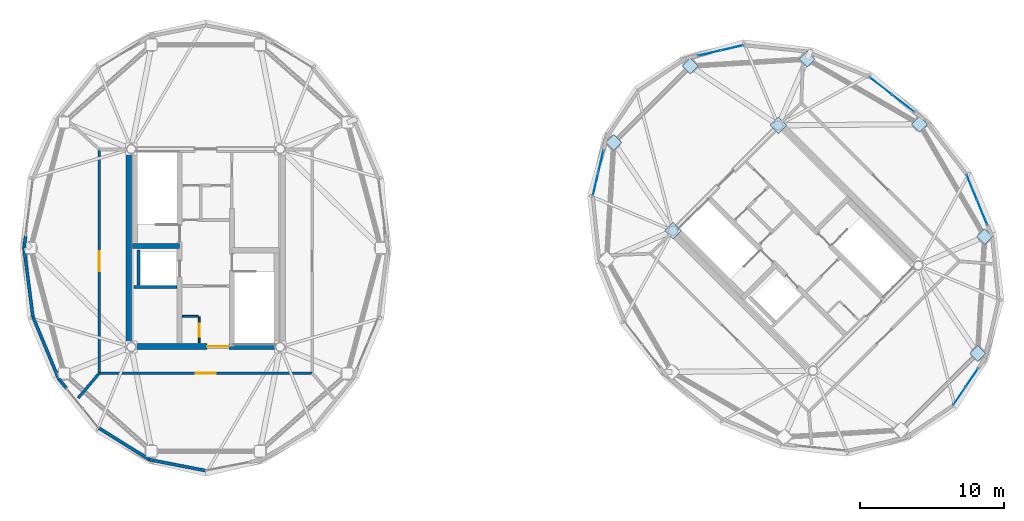
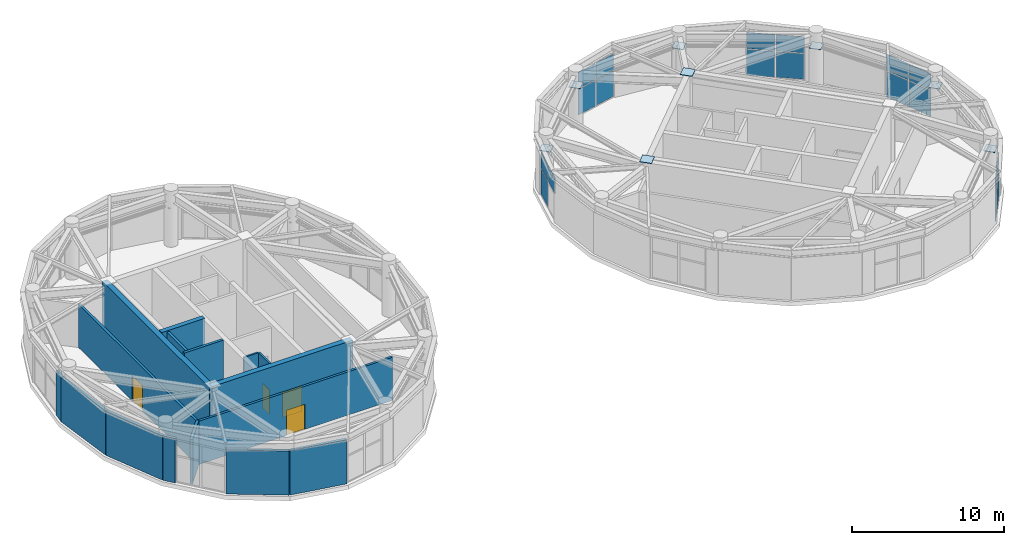
# One storey, part 22 of 26: 27 plates, 16 walls, 4 doors, 4 openings, 5 elements without a shape of their own.
"""IFC4 building model written with IfcOpenShell, lengths in metres."""

from ifc_helpers import new_model, si_unit, direction, frame, frame_2d, origin, origin_2d, place, context, subcontext, project, spatial, rectangle, extrude, source, transform, mapped, material, layer, layer_set, type_object, element, fill, aggregate, save


model = new_model("IFC4")

# Units and contexts
model_context = context("Model", 3, precision=1e-05, world=origin(), true_north=direction((0.0, 1.0)))
body_context = subcontext(model_context, "Body", "Model", "MODEL_VIEW")
ifc_project = project(units=[si_unit("LENGTHUNIT", "METRE"), si_unit("AREAUNIT", "SQUARE_METRE"), si_unit("VOLUMEUNIT", "CUBIC_METRE"), si_unit("PLANEANGLEUNIT", "RADIAN"), si_unit("MASSUNIT", "GRAM", prefix="KILO")], contexts=[model_context])

# Site, building, storey
site_placement = place(None, origin())
site = spatial("IfcSite", under=ifc_project, at=site_placement, CompositionType="ELEMENT")
building_placement = place(site_placement, origin())
building = spatial("IfcBuilding", under=site, at=building_placement, Name="Cununo Teusaquillo Station Towers", CompositionType="ELEMENT")
storey_placement = place(building_placement, frame((0.0, 0.0, 240.330078125)))
storey = spatial("IfcBuildingStorey", under=building, at=storey_placement, Name="L76", CompositionType="ELEMENT", Elevation=240.330078125)

# Plates
ifc_material_1 = material(Name="Steel ASTM A572 Grade 50", Category="steel")
ifc_layer_1 = layer(ifc_material_1, 0.0400390625)
ifc_layer_set_1 = layer_set([ifc_layer_1], Name="Steel ASTM A572 Grade 50")
plate_type_1 = type_object("IfcPlateType", Name="PLT-NODE-CRN1", PredefinedType="USERDEFINED", material=ifc_layer_set_1)
shared_shape_1 = source(origin(), body_context, "Body", "SweptSolid", [
    extrude(rectangle(XDim=0.820068359375, YDim=0.820068359375, at=origin_2d()), origin(), (0.0, 0.0, 1.0), 0.0400390625),
])
for number, where, z_axis, x_axis, name in (
    (1, (48.975830078125, 25.70556640625, 4.5), (0.0, 0.0, 1.0), (0.707106781187, 0.707106781187, 0.0), "L76 Tower B Core Column Sealed Cap Plate 2"),
    (2, (56.29443359375, 33.024169921875, 4.5), (0.0, 0.0, 1.0), (0.707106781187, 0.707106781187, 0.0), "L76 Tower B Core Column Sealed Cap Plate 4"),
):
    element("IfcPlate", number, at=place(storey_placement, frame(where, z_axis=z_axis, x_axis=x_axis)), inside=storey, type_object=plate_type_1, Name=name, ObjectType="GUSSET PLATE", PredefinedType="USERDEFINED", context=body_context, shape_type="MappedRepresentation", body=[
        mapped(shared_shape_1, transform((0.0, 0.0, 0.0), x_axis=(1.0, 0.0, 0.0), y_axis=(0.0, 1.0, 0.0), z_axis=(0.0, 0.0, 1.0), scale=1.0)),
    ])
shared_shape_2 = source(origin(), body_context, "Body", "SweptSolid", [
    extrude(rectangle(XDim=0.780029296875, YDim=0.780029296875, at=origin_2d()), origin(), (0.0, 0.0, 1.0), 0.0400390625),
])
for number, where, z_axis, x_axis, name in (
    (3, (66.10693359375, 33.10693359375, 3.1298828125), (0.0, 0.0, 1.0), (0.707106781187, 0.707106781187, 0.0), "L76 Tower B Crown Drum Node CRN1 01"),
    (4, (58.291015625, 37.63525390625, 3.1298828125), (0.0, 0.0, 1.0), (0.707106781187, 0.707106781187, 0.0), "L76 Tower B Crown Drum Node CRN1 02"),
    (5, (50.173095703125, 37.146240234375, 3.1298828125), (0.0, 0.0, 1.0), (0.707106781187, 0.707106781187, 0.0), "L76 Tower B Crown Drum Node CRN1 03"),
    (6, (44.853759765625, 31.826904296875, 3.1298828125), (0.0, 0.0, 1.0), (0.707106781187, 0.707106781187, 0.0), "L76 Tower B Crown Drum Node CRN1 04"),
    (7, (70.146240234375, 17.173095703125, 3.1298828125), (0.0, 0.0, 1.0), (0.707106781187, 0.707106781187, 0.0), "L76 Tower B Crown Drum Node CRN1 09"),
    (8, (70.63525390625, 25.291015625, 3.1298828125), (0.0, 0.0, 1.0), (0.707106781187, 0.707106781187, 0.0), "L76 Tower B Crown Drum Node CRN1 10"),
):
    element("IfcPlate", number, at=place(storey_placement, frame(where, z_axis=z_axis, x_axis=x_axis)), inside=storey, type_object=plate_type_1, Name=name, ObjectType="GUSSET PLATE", PredefinedType="USERDEFINED", context=body_context, shape_type="MappedRepresentation", body=[
        mapped(shared_shape_2, transform((0.0, 0.0, 0.0), x_axis=(1.0, 0.0, 0.0), y_axis=(0.0, 1.0, 0.0), z_axis=(0.0, 0.0, 1.0), scale=1.0)),
    ])

# Curtain wall, plates
ifc_material_2 = material(Name="Ceramic-fritted dark low-E double glazing", Category="glass")
ifc_layer_2 = layer(ifc_material_2, 0.179931640625)
ifc_layer_set_2 = layer_set([ifc_layer_2], Name="Ceramic-fritted dark low-E double glazing")
curtain_wall_type = type_object("IfcCurtainWallType", Name="CW-SYS-08", PredefinedType="USERDEFINED", material=ifc_layer_set_2)
curtain_wall_1_placement = place(storey_placement, origin())
curtain_wall_1 = element("IfcCurtainWall", 9, at=curtain_wall_1_placement, inside=storey, type_object=curtain_wall_type, Name="L76 Tower B Crown Drum Glazed Screen C00", ObjectType="FRITTED GLAZING", PredefinedType="USERDEFINED")
ifc_material_3 = material(Name="Ceramic-fritted dark low-E double glazing", Category="glass")
ifc_layer_3 = layer(ifc_material_3, 0.030029296875)
ifc_layer_set_3 = layer_set([ifc_layer_3], Name="Ceramic-fritted dark low-E double glazing")
plate_type_2 = type_object("IfcPlateType", Name="CWP-DRUM-30", PredefinedType="CURTAIN_PANEL", material=ifc_layer_set_3)
shared_shape_3 = source(origin(), body_context, "Body", "SweptSolid", [
    extrude(rectangle(XDim=1.8876953125, YDim=0.030029296875, at=origin_2d()), origin(), (0.0, 0.0, 1.0), 2.052490234375),
])
plate_1_placement = place(storey_placement, frame((63.412353515625, 35.758056640625, 0.06494140625), z_axis=(0.0, 0.0, 1.0), x_axis=(0.791965285757, -0.610566119397, 0.0)))
plate_1 = element("IfcPlate", 10, at=plate_1_placement, type_object=plate_type_2, Name="CW-08 panel 1.1", PredefinedType="CURTAIN_PANEL", context=body_context, shape_type="MappedRepresentation", body=[
    mapped(shared_shape_3, transform((0.0, 0.0, 0.0), x_axis=(1.0, 0.0, 0.0), y_axis=(0.0, 1.0, 0.0), z_axis=(0.0, 0.0, 1.0), scale=1.0)),
])
plate_2_placement = place(storey_placement, frame((64.958740234375, 34.565673828125, 0.06494140625), z_axis=(0.0, 0.0, 1.0), x_axis=(0.791965285757, -0.610566119397, 0.0)))
plate_2 = element("IfcPlate", 11, at=plate_2_placement, type_object=plate_type_2, Name="CW-08 panel 2.1", PredefinedType="CURTAIN_PANEL", context=body_context, shape_type="MappedRepresentation", body=[
    mapped(shared_shape_3, transform((0.0, 0.0, 0.0), x_axis=(1.0, 0.0, 0.0), y_axis=(0.0, 1.0, 0.0), z_axis=(0.0, 0.0, 1.0), scale=1.0)),
])

curtain_wall_2_placement = place(storey_placement, origin())
curtain_wall_2 = element("IfcCurtainWall", 12, at=curtain_wall_2_placement, inside=storey, type_object=curtain_wall_type, Name="L76 Tower B Crown Drum Glazed Screen C15", ObjectType="FRITTED GLAZING", PredefinedType="USERDEFINED")
shared_shape_4 = source(origin(), body_context, "Body", "SweptSolid", [
    extrude(rectangle(XDim=1.46533203125, YDim=0.030029296875, at=origin_2d()), origin(), (0.0, 0.0, 1.0), 2.052490234375),
])
plate_3_placement = place(storey_placement, frame((69.741455078125, 15.490478515625, 0.06494140625), z_axis=(0.0, 0.0, 1.0), x_axis=(-0.559504724592, -0.82882716121, 0.0)))
plate_3 = element("IfcPlate", 13, at=plate_3_placement, type_object=plate_type_2, Name="CW-08 panel 1.1", PredefinedType="CURTAIN_PANEL", context=body_context, shape_type="MappedRepresentation", body=[
    mapped(shared_shape_4, transform((0.0, 0.0, 0.0), x_axis=(1.0, 0.0, 0.0), y_axis=(0.0, 1.0, 0.0), z_axis=(0.0, 0.0, 1.0), scale=1.0)),
])
plate_4_placement = place(storey_placement, frame((68.88525390625, 14.22216796875, 0.06494140625), z_axis=(0.0, 0.0, 1.0), x_axis=(-0.559504724592, -0.82882716121, 0.0)))
plate_4 = element("IfcPlate", 14, at=plate_4_placement, type_object=plate_type_2, Name="CW-08 panel 2.1", PredefinedType="CURTAIN_PANEL", context=body_context, shape_type="MappedRepresentation", body=[
    mapped(shared_shape_4, transform((0.0, 0.0, 0.0), x_axis=(1.0, 0.0, 0.0), y_axis=(0.0, 1.0, 0.0), z_axis=(0.0, 0.0, 1.0), scale=1.0)),
])

curtain_wall_3_placement = place(storey_placement, origin())
curtain_wall_3 = element("IfcCurtainWall", 15, at=curtain_wall_3_placement, inside=storey, type_object=curtain_wall_type, Name="L76 Tower B Crown Drum Glazed Screen C03", ObjectType="FRITTED GLAZING", PredefinedType="USERDEFINED")
shared_shape_5 = source(origin(), body_context, "Body", "SweptSolid", [
    extrude(rectangle(XDim=1.552734375, YDim=0.030029296875, at=origin_2d()), origin(), (0.0, 0.0, 1.0), 2.052490234375),
])
plate_5_placement = place(storey_placement, frame((51.50390625, 38.044677734375, 0.06494140625), z_axis=(0.0, 0.0, 1.0), x_axis=(0.974251080132, 0.225465813065, 0.0)))
plate_5 = element("IfcPlate", 16, at=plate_5_placement, type_object=plate_type_2, Name="CW-08 panel 1.1", PredefinedType="CURTAIN_PANEL", context=body_context, shape_type="MappedRepresentation", body=[
    mapped(shared_shape_5, transform((0.0, 0.0, 0.0), x_axis=(1.0, 0.0, 0.0), y_axis=(0.0, 1.0, 0.0), z_axis=(0.0, 0.0, 1.0), scale=1.0)),
])
plate_6_placement = place(storey_placement, frame((53.079833984375, 38.409423828125, 0.06494140625), z_axis=(0.0, 0.0, 1.0), x_axis=(0.974251080132, 0.225465813065, 0.0)))
plate_6 = element("IfcPlate", 17, at=plate_6_placement, type_object=plate_type_2, Name="CW-08 panel 2.1", PredefinedType="CURTAIN_PANEL", context=body_context, shape_type="MappedRepresentation", body=[
    mapped(shared_shape_5, transform((0.0, 0.0, 0.0), x_axis=(1.0, 0.0, 0.0), y_axis=(0.0, 1.0, 0.0), z_axis=(0.0, 0.0, 1.0), scale=1.0)),
])

# Curtain wall, plate
curtain_wall_4_placement = place(storey_placement, origin())
curtain_wall_4 = element("IfcCurtainWall", 18, at=curtain_wall_4_placement, inside=storey, type_object=curtain_wall_type, Name="L76 Tower B Crown Drum Glazed Screen C06", ObjectType="FRITTED GLAZING", PredefinedType="USERDEFINED")
plate_7_placement = place(storey_placement, frame((43.955322265625, 30.49609375, 0.06494140625), z_axis=(0.0, 0.0, 1.0), x_axis=(0.225465813065, 0.974251080132, 0.0)))
plate_7 = element("IfcPlate", 19, at=plate_7_placement, type_object=plate_type_2, Name="CW-08 panel 2.1", PredefinedType="CURTAIN_PANEL", context=body_context, shape_type="MappedRepresentation", body=[
    mapped(shared_shape_5, transform((0.0, 0.0, 0.0), x_axis=(1.0, 0.0, 0.0), y_axis=(0.0, 1.0, 0.0), z_axis=(0.0, 0.0, 1.0), scale=1.0)),
])

# Curtain wall, plates
curtain_wall_5_placement = place(storey_placement, origin())
curtain_wall_5 = element("IfcCurtainWall", 20, at=curtain_wall_5_placement, inside=storey, type_object=curtain_wall_type, Name="L76 Tower B Crown Drum Glazed Screen C18", ObjectType="FRITTED GLAZING", PredefinedType="USERDEFINED")
shared_shape_6 = source(origin(), body_context, "Body", "SweptSolid", [
    extrude(rectangle(XDim=1.81298828125, YDim=0.030029296875, at=origin_2d()), origin(), (0.0, 0.0, 1.0), 2.052490234375),
])
plate_8_placement = place(storey_placement, frame((69.744384765625, 28.71533203125, 0.06494140625), z_axis=(0.0, 0.0, 1.0), x_axis=(0.381310513086, -0.924447019904, 0.0)))
plate_8 = element("IfcPlate", 21, at=plate_8_placement, type_object=plate_type_2, Name="CW-08 panel 1.1", PredefinedType="CURTAIN_PANEL", context=body_context, shape_type="MappedRepresentation", body=[
    mapped(shared_shape_6, transform((0.0, 0.0, 0.0), x_axis=(1.0, 0.0, 0.0), y_axis=(0.0, 1.0, 0.0), z_axis=(0.0, 0.0, 1.0), scale=1.0)),
])
plate_9_placement = place(storey_placement, frame((70.46044921875, 26.979248046875, 0.06494140625), z_axis=(0.0, 0.0, 1.0), x_axis=(0.381310513086, -0.924447019904, 0.0)))
plate_9 = element("IfcPlate", 22, at=plate_9_placement, type_object=plate_type_2, Name="CW-08 panel 2.1", PredefinedType="CURTAIN_PANEL", context=body_context, shape_type="MappedRepresentation", body=[
    mapped(shared_shape_6, transform((0.0, 0.0, 0.0), x_axis=(1.0, 0.0, 0.0), y_axis=(0.0, 1.0, 0.0), z_axis=(0.0, 0.0, 1.0), scale=1.0)),
])

# Plate
shared_shape_7 = source(origin(), body_context, "Body", "SweptSolid", [
    extrude(rectangle(XDim=1.8876953125, YDim=0.030029296875, at=origin_2d()), origin(), (0.0, 0.0, 1.0), 1.30859375),
])
plate_10_placement = place(storey_placement, frame((63.412353515625, 35.758056640625, 2.182373046875), z_axis=(0.0, 0.0, 1.0), x_axis=(0.791965285757, -0.610566119397, 0.0)))
plate_10 = element("IfcPlate", 23, at=plate_10_placement, type_object=plate_type_2, Name="CW-08 panel 1.2", PredefinedType="CURTAIN_PANEL", context=body_context, shape_type="MappedRepresentation", body=[
    mapped(shared_shape_7, transform((0.0, 0.0, 0.0), x_axis=(1.0, 0.0, 0.0), y_axis=(0.0, 1.0, 0.0), z_axis=(0.0, 0.0, 1.0), scale=1.0)),
])

plate_11_placement = place(storey_placement, frame((64.958740234375, 34.565673828125, 2.182373046875), z_axis=(0.0, 0.0, 1.0), x_axis=(0.791965285757, -0.610566119397, 0.0)))
plate_11 = element("IfcPlate", 24, at=plate_11_placement, type_object=plate_type_2, Name="CW-08 panel 2.2", PredefinedType="CURTAIN_PANEL", context=body_context, shape_type="MappedRepresentation", body=[
    mapped(shared_shape_7, transform((0.0, 0.0, 0.0), x_axis=(1.0, 0.0, 0.0), y_axis=(0.0, 1.0, 0.0), z_axis=(0.0, 0.0, 1.0), scale=1.0)),
])

aggregate(curtain_wall_1, [plate_1, plate_10, plate_2, plate_11])

shared_shape_8 = source(origin(), body_context, "Body", "SweptSolid", [
    extrude(rectangle(XDim=1.46533203125, YDim=0.030029296875, at=origin_2d()), origin(), (0.0, 0.0, 1.0), 1.30859375),
])
plate_12_placement = place(storey_placement, frame((69.741455078125, 15.490478515625, 2.182373046875), z_axis=(0.0, 0.0, 1.0), x_axis=(-0.559504724592, -0.82882716121, 0.0)))
plate_12 = element("IfcPlate", 25, at=plate_12_placement, type_object=plate_type_2, Name="CW-08 panel 1.2", PredefinedType="CURTAIN_PANEL", context=body_context, shape_type="MappedRepresentation", body=[
    mapped(shared_shape_8, transform((0.0, 0.0, 0.0), x_axis=(1.0, 0.0, 0.0), y_axis=(0.0, 1.0, 0.0), z_axis=(0.0, 0.0, 1.0), scale=1.0)),
])

plate_13_placement = place(storey_placement, frame((68.88525390625, 14.22216796875, 2.182373046875), z_axis=(0.0, 0.0, 1.0), x_axis=(-0.559504724592, -0.82882716121, 0.0)))
plate_13 = element("IfcPlate", 26, at=plate_13_placement, type_object=plate_type_2, Name="CW-08 panel 2.2", PredefinedType="CURTAIN_PANEL", context=body_context, shape_type="MappedRepresentation", body=[
    mapped(shared_shape_8, transform((0.0, 0.0, 0.0), x_axis=(1.0, 0.0, 0.0), y_axis=(0.0, 1.0, 0.0), z_axis=(0.0, 0.0, 1.0), scale=1.0)),
])

aggregate(curtain_wall_2, [plate_3, plate_12, plate_4, plate_13])

shared_shape_9 = source(origin(), body_context, "Body", "SweptSolid", [
    extrude(rectangle(XDim=1.552734375, YDim=0.030029296875, at=origin_2d()), origin(), (0.0, 0.0, 1.0), 1.30859375),
])
plate_14_placement = place(storey_placement, frame((51.50390625, 38.044677734375, 2.182373046875), z_axis=(0.0, 0.0, 1.0), x_axis=(0.974251080132, 0.225465813065, 0.0)))
plate_14 = element("IfcPlate", 27, at=plate_14_placement, type_object=plate_type_2, Name="CW-08 panel 1.2", PredefinedType="CURTAIN_PANEL", context=body_context, shape_type="MappedRepresentation", body=[
    mapped(shared_shape_9, transform((0.0, 0.0, 0.0), x_axis=(1.0, 0.0, 0.0), y_axis=(0.0, 1.0, 0.0), z_axis=(0.0, 0.0, 1.0), scale=1.0)),
])

plate_15_placement = place(storey_placement, frame((53.079833984375, 38.409423828125, 2.182373046875), z_axis=(0.0, 0.0, 1.0), x_axis=(0.974251080132, 0.225465813065, 0.0)))
plate_15 = element("IfcPlate", 28, at=plate_15_placement, type_object=plate_type_2, Name="CW-08 panel 2.2", PredefinedType="CURTAIN_PANEL", context=body_context, shape_type="MappedRepresentation", body=[
    mapped(shared_shape_9, transform((0.0, 0.0, 0.0), x_axis=(1.0, 0.0, 0.0), y_axis=(0.0, 1.0, 0.0), z_axis=(0.0, 0.0, 1.0), scale=1.0)),
])

aggregate(curtain_wall_3, [plate_5, plate_14, plate_6, plate_15])

plate_16_placement = place(storey_placement, frame((43.590576171875, 28.920166015625, 2.182373046875), z_axis=(0.0, 0.0, 1.0), x_axis=(0.225465813065, 0.974251080132, 0.0)))
plate_16 = element("IfcPlate", 29, at=plate_16_placement, type_object=plate_type_2, Name="CW-08 panel 1.2", PredefinedType="CURTAIN_PANEL", context=body_context, shape_type="MappedRepresentation", body=[
    mapped(shared_shape_9, transform((0.0, 0.0, 0.0), x_axis=(1.0, 0.0, 0.0), y_axis=(0.0, 1.0, 0.0), z_axis=(0.0, 0.0, 1.0), scale=1.0)),
])

plate_17_placement = place(storey_placement, frame((43.955322265625, 30.49609375, 2.182373046875), z_axis=(0.0, 0.0, 1.0), x_axis=(0.225465813065, 0.974251080132, 0.0)))
plate_17 = element("IfcPlate", 30, at=plate_17_placement, type_object=plate_type_2, Name="CW-08 panel 2.2", PredefinedType="CURTAIN_PANEL", context=body_context, shape_type="MappedRepresentation", body=[
    mapped(shared_shape_9, transform((0.0, 0.0, 0.0), x_axis=(1.0, 0.0, 0.0), y_axis=(0.0, 1.0, 0.0), z_axis=(0.0, 0.0, 1.0), scale=1.0)),
])

aggregate(curtain_wall_4, [plate_16, plate_7, plate_17])

shared_shape_10 = source(origin(), body_context, "Body", "SweptSolid", [
    extrude(rectangle(XDim=1.81298828125, YDim=0.030029296875, at=origin_2d()), origin(), (0.0, 0.0, 1.0), 1.30859375),
])
plate_18_placement = place(storey_placement, frame((69.744384765625, 28.71533203125, 2.182373046875), z_axis=(0.0, 0.0, 1.0), x_axis=(0.381310513086, -0.924447019904, 0.0)))
plate_18 = element("IfcPlate", 31, at=plate_18_placement, type_object=plate_type_2, Name="CW-08 panel 1.2", PredefinedType="CURTAIN_PANEL", context=body_context, shape_type="MappedRepresentation", body=[
    mapped(shared_shape_10, transform((0.0, 0.0, 0.0), x_axis=(1.0, 0.0, 0.0), y_axis=(0.0, 1.0, 0.0), z_axis=(0.0, 0.0, 1.0), scale=1.0)),
])

plate_19_placement = place(storey_placement, frame((70.46044921875, 26.979248046875, 2.182373046875), z_axis=(0.0, 0.0, 1.0), x_axis=(0.381310513086, -0.924447019904, 0.0)))
plate_19 = element("IfcPlate", 32, at=plate_19_placement, type_object=plate_type_2, Name="CW-08 panel 2.2", PredefinedType="CURTAIN_PANEL", context=body_context, shape_type="MappedRepresentation", body=[
    mapped(shared_shape_10, transform((0.0, 0.0, 0.0), x_axis=(1.0, 0.0, 0.0), y_axis=(0.0, 1.0, 0.0), z_axis=(0.0, 0.0, 1.0), scale=1.0)),
])

aggregate(curtain_wall_5, [plate_8, plate_18, plate_9, plate_19])

# Walls
ifc_material_4 = material(Name="Concrete C50/60", Category="concrete")
ifc_layer_4 = layer(ifc_material_4, 0.199951171875)
ifc_layer_set_4 = layer_set([ifc_layer_4], Name="Concrete C50/60")
wall_type_1 = type_object("IfcWallType", Name="WL-CORE-200", PredefinedType="SHEAR", material=ifc_layer_set_4)
wall_1_placement = place(storey_placement, frame((11.52001953125, 21.800048828125, 0.0), z_axis=(0.0, 0.0, 1.0), x_axis=(1.0, 0.0, 0.0)))
element("IfcWall", 33, at=wall_1_placement, inside=storey, type_object=wall_type_1, Name="L76 Tower A Firefighting Lift Shaft South Shear Wall", PredefinedType="SHEAR", context=body_context, shape_type="SweptSolid", body=[
    extrude(rectangle(XDim=2.969970703125, YDim=0.199951171875, at=frame_2d((1.48486328125, 0.0))), origin(), (0.0, 0.0, 1.0), 4.5),
])
wall_2_placement = place(storey_placement, frame((11.820068359375, 21.919921875, 0.0), z_axis=(0.0, 0.0, 1.0), x_axis=(0.0, 1.0, 0.0)))
element("IfcWall", 34, at=wall_2_placement, inside=storey, type_object=wall_type_1, Name="L76 Tower A Firefighting Lift Shaft Rear Shear Wall", PredefinedType="SHEAR", context=body_context, shape_type="SweptSolid", body=[
    extrude(rectangle(XDim=2.440185546875, YDim=0.199951171875, at=frame_2d((1.22021484375, 0.0))), origin(), (0.0, 0.0, 1.0), 4.5),
])
ifc_material_5 = material(Name="Concrete C50/60", Category="concrete")
ifc_layer_5 = layer(ifc_material_5, 0.35009765625)
ifc_layer_set_5 = layer_set([ifc_layer_5], Name="Concrete C50/60")
wall_type_2 = type_object("IfcWallType", Name="WL-CORE-350", PredefinedType="SHEAR", material=ifc_layer_set_5)
wall_3_placement = place(storey_placement, frame((11.39990234375, 24.655029296875, 0.0), z_axis=(0.0, 0.0, 1.0), x_axis=(1.0, 0.0, 0.0)))
element("IfcWall", 35, at=wall_3_placement, inside=storey, type_object=wall_type_2, Name="L76 Tower A Core Shear Wall ST1S", PredefinedType="SHEAR", context=body_context, shape_type="SweptSolid", body=[
    extrude(rectangle(XDim=3.28515625, YDim=0.35009765625, at=frame_2d((1.642578125, 0.0))), origin(), (0.0, 0.0, 1.0), 4.5),
])
ifc_material_6 = material(Name="Concrete C50/60", Category="concrete")
ifc_layer_6 = layer(ifc_material_6, 0.39990234375)
ifc_layer_set_6 = layer_set([ifc_layer_6], Name="Concrete C50/60")
wall_type_3 = type_object("IfcWallType", Name="WL-CORE-400", PredefinedType="SHEAR", material=ifc_layer_set_6)
wall_4_placement = place(storey_placement, frame((11.14990234375, 17.449951171875, 0.0), z_axis=(0.0, 0.0, 1.0), x_axis=(0.0, 1.0, 0.0)))
element("IfcWall", 36, at=wall_4_placement, inside=storey, type_object=wall_type_3, Name="L76 Tower A Core Shear Wall W", PredefinedType="SHEAR", context=body_context, shape_type="SweptSolid", body=[
    extrude(rectangle(XDim=14.10009765625, YDim=0.39990234375, at=frame_2d((7.050048828125, 0.0))), origin(), (0.0, 0.0, 1.0), 4.5),
])

# Wall, opening, door
wall_5_placement = place(storey_placement, frame((11.14990234375, 17.64990234375, 0.0), z_axis=(0.0, 0.0, 1.0), x_axis=(1.0, 0.0, 0.0)))
wall_5 = element("IfcWall", 37, at=wall_5_placement, inside=storey, type_object=wall_type_3, Name="L76 Tower A Core Shear Wall S", PredefinedType="SHEAR", context=body_context, shape_type="SweptSolid", body=[
    extrude(rectangle(XDim=10.7001953125, YDim=0.39990234375, at=frame_2d((5.35009765625, 0.0))), origin(), (0.0, 0.0, 1.0), 4.5),
])
shared_shape_11 = source(origin(), body_context, "Body", "SweptSolid", [
    extrude(rectangle(XDim=1.5, YDim=2.02001953125, at=frame_2d((0.75, 1.010009765625))), frame((0.0, 0.2099609375, 0.0), z_axis=(0.0, -1.0, 0.0), x_axis=(1.0, 0.0, 0.0)), (0.0, 0.0, 1.0), 0.419921875),
])
opening_1_placement = place(wall_5_placement, frame((5.449951171875, 0.0, 0.0)))
opening_1 = element("IfcOpeningElement", 38, at=opening_1_placement, cuts=wall_5, Name="Opening D-LB1", PredefinedType="OPENING", context=body_context, shape_type="MappedRepresentation", body=[
    mapped(shared_shape_11, transform((0.0, 0.0, 0.0), x_axis=(1.0, 0.0, 0.0), y_axis=(0.0, 1.0, 0.0), z_axis=(0.0, 0.0, 1.0), scale=1.0)),
])
ifc_material_7 = material(Name="Galvanised fire-rated hollow steel door assembly", Category="steel")
door_type_1 = type_object("IfcDoorType", Name="DR-LOBBY-1500", OperationType="DOUBLE_DOOR_SINGLE_SWING", PredefinedType="DOOR", material=ifc_material_7)
shared_shape_12 = source(origin(), body_context, "Body", "SweptSolid", [
    extrude(rectangle(XDim=1.5, YDim=2.02001953125, at=frame_2d((0.75, 1.010009765625))), frame((0.0, 0.02490234375, 0.0), z_axis=(0.0, -1.0, 0.0), x_axis=(1.0, 0.0, 0.0)), (0.0, 0.0, 1.0), 0.050048828125),
])
door_1_placement = place(opening_1_placement, origin())
door_1 = element("IfcDoor", 39, at=door_1_placement, inside=storey, type_object=door_type_1, Name="L76 Tower A South Core Lift Lobby Door", OperationType="DOUBLE_DOOR_SINGLE_SWING", OverallHeight=2.02001953125, OverallWidth=1.5, PredefinedType="DOOR", context=body_context, shape_type="MappedRepresentation", body=[
    mapped(shared_shape_12, transform((0.0, 0.0, 0.0), x_axis=(1.0, 0.0, 0.0), y_axis=(0.0, 1.0, 0.0), z_axis=(0.0, 0.0, 1.0), scale=1.0)),
])
fill(opening_1, door_1)

# Walls
ifc_material_8 = material(Name="Precast concrete C40/50", Category="concrete")
ifc_layer_7 = layer(ifc_material_8, 0.219970703125)
ifc_layer_set_7 = layer_set([ifc_layer_7], Name="Precast concrete C40/50")
wall_type_4 = type_object("IfcWallType", Name="WL-EXT-220", PredefinedType="SOLIDWALL", material=ifc_layer_set_7)
wall_6_placement = place(storey_placement, frame((3.8701171875, 24.5, 0.0), z_axis=(0.0, 0.0, 1.0), x_axis=(0.128247365719, 0.991742211054, 0.0)))
element("IfcWall", 40, at=wall_6_placement, inside=storey, type_object=wall_type_4, Name="L76 Tower A Crown Drum Pier Cassette C09-PA", PredefinedType="SOLIDWALL", context=body_context, shape_type="SweptSolid", body=[
    extrude(rectangle(XDim=0.869873046875, YDim=0.219970703125, at=frame_2d((0.43505859375, 0.0))), origin(), (0.0, 0.0, 1.0), 3.555908203125),
])
wall_7_placement = place(storey_placement, frame((4.48828125, 19.719482421875, 0.0), z_axis=(0.0, 0.0, 1.0), x_axis=(-0.128241318541, 0.991742993027, 0.0)))
element("IfcWall", 41, at=wall_7_placement, inside=storey, type_object=wall_type_4, Name="L76 Tower A Crown Drum Spandrel Cassette C10", PredefinedType="SOLIDWALL", context=body_context, shape_type="SweptSolid", body=[
    extrude(rectangle(XDim=4.8203125, YDim=0.219970703125, at=frame_2d((2.41015625, 0.0))), origin(), (0.0, 0.0, 1.0), 3.555908203125),
])
wall_8_placement = place(storey_placement, frame((6.281982421875, 15.406982421875, 0.0), z_axis=(0.0, 0.0, 1.0), x_axis=(-0.384036305194, 0.923317993052, 0.0)))
element("IfcWall", 42, at=wall_8_placement, inside=storey, type_object=wall_type_4, Name="L76 Tower A Crown Drum Spandrel Cassette C11", PredefinedType="SOLIDWALL", context=body_context, shape_type="SweptSolid", body=[
    extrude(rectangle(XDim=4.670654296875, YDim=0.219970703125, at=frame_2d((2.33544921875, 0.0))), origin(), (0.0, 0.0, 1.0), 3.555908203125),
])
wall_9_placement = place(storey_placement, frame((6.832275390625, 14.733154296875, 0.0), z_axis=(0.0, 0.0, 1.0), x_axis=(-0.632534570862, 0.774532127587, 0.0)))
element("IfcWall", 43, at=wall_9_placement, inside=storey, type_object=wall_type_4, Name="L76 Tower A Crown Drum Pier Cassette C12-PB", PredefinedType="SOLIDWALL", context=body_context, shape_type="SweptSolid", body=[
    extrude(rectangle(XDim=0.869873046875, YDim=0.219970703125, at=frame_2d((0.43505859375, 0.0))), origin(), (0.0, 0.0, 1.0), 3.555908203125),
])
wall_10_placement = place(storey_placement, frame((12.59716796875, 9.787109375, 0.0), z_axis=(0.0, 0.0, 1.0), x_axis=(-0.848318713376, 0.529485939886, 0.0)))
element("IfcWall", 44, at=wall_10_placement, inside=storey, type_object=wall_type_4, Name="L76 Tower A Crown Drum Spandrel Cassette C13", PredefinedType="SOLIDWALL", context=body_context, shape_type="SweptSolid", body=[
    extrude(rectangle(XDim=4.150390625, YDim=0.219970703125, at=frame_2d((2.0751953125, 0.0))), origin(), (0.0, 0.0, 1.0), 3.555908203125),
])
wall_11_placement = place(storey_placement, frame((16.5, 9.030029296875, 0.0), z_axis=(0.0, 0.0, 1.0), x_axis=(-0.981700307484, 0.190432419211, 0.0)))
element("IfcWall", 45, at=wall_11_placement, inside=storey, type_object=wall_type_4, Name="L76 Tower A Crown Drum Spandrel Cassette C14", PredefinedType="SOLIDWALL", context=body_context, shape_type="SweptSolid", body=[
    extrude(rectangle(XDim=3.9755859375, YDim=0.219970703125, at=frame_2d((1.98779296875, 0.0))), origin(), (0.0, 0.0, 1.0), 3.555908203125),
])

# Wall, opening, door
ifc_material_9 = material(Name="Fire-rated gypsum plasterboard partition assembly", Category="gypsum")
ifc_layer_8 = layer(ifc_material_9, 0.125)
ifc_layer_set_8 = layer_set([ifc_layer_8], Name="Fire-rated gypsum plasterboard partition assembly")
wall_type_5 = type_object("IfcWallType", Name="WL-PART-125", PredefinedType="PARTITIONING", material=ifc_layer_set_8)
wall_12_placement = place(storey_placement, frame((16.050048828125, 17.919921875, 0.0), z_axis=(0.0, 0.0, 1.0), x_axis=(0.0, 1.0, 0.0)))
wall_12 = element("IfcWall", 46, at=wall_12_placement, inside=storey, type_object=wall_type_5, Name="L76 Tower A South-West Compact Store East Wall", PredefinedType="PARTITIONING", context=body_context, shape_type="SweptSolid", body=[
    extrude(rectangle(XDim=1.800048828125, YDim=0.125, at=frame_2d((0.89990234375, 0.0))), origin(), (0.0, 0.0, 1.0), 4.184814453125),
])
shared_shape_13 = source(origin(), body_context, "Body", "SweptSolid", [
    extrude(rectangle(XDim=0.89990234375, YDim=2.0048828125, at=frame_2d((0.449951171875, 1.00244140625))), frame((0.0, 0.072509765625, 0.0), z_axis=(0.0, -1.0, 0.0), x_axis=(1.0, 0.0, 0.0)), (0.0, 0.0, 1.0), 0.14501953125),
])
opening_2_placement = place(wall_12_placement, frame((0.419921875, 0.0, 0.0)))
opening_2 = element("IfcOpeningElement", 47, at=opening_2_placement, cuts=wall_12, Name="Opening D-SR1", PredefinedType="OPENING", context=body_context, shape_type="MappedRepresentation", body=[
    mapped(shared_shape_13, transform((0.0, 0.0, 0.0), x_axis=(1.0, 0.0, 0.0), y_axis=(0.0, 1.0, 0.0), z_axis=(0.0, 0.0, 1.0), scale=1.0)),
])
ifc_material_10 = material(Name="Galvanised fire-rated hollow steel door assembly", Category="steel")
door_type_2 = type_object("IfcDoorType", Name="DR-STORE-900", OperationType="NOTDEFINED", PredefinedType="DOOR", material=ifc_material_10)
shared_shape_14 = source(origin(), body_context, "Body", "SweptSolid", [
    extrude(rectangle(XDim=0.89990234375, YDim=2.0048828125, at=frame_2d((0.449951171875, 1.00244140625))), frame((0.0, 0.02490234375, 0.0), z_axis=(0.0, -1.0, 0.0), x_axis=(1.0, 0.0, 0.0)), (0.0, 0.0, 1.0), 0.050048828125),
])
door_2_placement = place(opening_2_placement, origin())
door_2 = element("IfcDoor", 48, at=door_2_placement, inside=storey, type_object=door_type_2, Name="L76 Tower A Core Electrical & Comms Store Door", OperationType="SINGLE_SWING_RIGHT", OverallHeight=2.0048828125, OverallWidth=0.89990234375, PredefinedType="DOOR", context=body_context, shape_type="MappedRepresentation", body=[
    mapped(shared_shape_14, transform((0.0, 0.0, 0.0), x_axis=(1.0, 0.0, 0.0), y_axis=(0.0, 1.0, 0.0), z_axis=(0.0, 0.0, 1.0), scale=1.0)),
])
fill(opening_2, door_2)

# Wall
wall_13_placement = place(storey_placement, frame((14.8798828125, 19.75, 0.0), z_axis=(0.0, 0.0, 1.0), x_axis=(1.0, 0.0, 0.0)))
element("IfcWall", 49, at=wall_13_placement, inside=storey, type_object=wall_type_5, Name="L76 Tower A South-West Compact Store North Wall", PredefinedType="PARTITIONING", context=body_context, shape_type="SweptSolid", body=[
    extrude(rectangle(XDim=1.10009765625, YDim=0.125, at=frame_2d((0.550048828125, 0.0))), origin(), (0.0, 0.0, 1.0), 4.184814453125),
])

# Wall, opening, door
ifc_material_11 = material(Name="Fire-rated gypsum plasterboard partition assembly", Category="gypsum")
ifc_layer_9 = layer(ifc_material_11, 0.179931640625)
ifc_layer_set_9 = layer_set([ifc_layer_9], Name="Fire-rated gypsum plasterboard partition assembly")
wall_type_6 = type_object("IfcWallType", Name="WL-PART-180", PredefinedType="PARTITIONING", material=ifc_layer_set_9)
wall_14_placement = place(storey_placement, frame((9.10009765625, 15.800048828125, 0.0), z_axis=(0.0, 0.0, 1.0), x_axis=(1.0, 0.0, 0.0)))
wall_14 = element("IfcWall", 50, at=wall_14_placement, inside=storey, type_object=wall_type_6, Name="L76 Tower A Crown Corridor Wall S", PredefinedType="PARTITIONING", context=body_context, shape_type="SweptSolid", body=[
    extrude(rectangle(XDim=14.7998046875, YDim=0.179931640625, at=frame_2d((7.39990234375, 0.0))), origin(), (0.0, 0.0, 1.0), 3.475830078125),
])
shared_shape_15 = source(origin(), body_context, "Body", "SweptSolid", [
    extrude(rectangle(XDim=1.39990234375, YDim=2.02001953125, at=frame_2d((0.699951171875, 1.010009765625))), frame((0.0, 0.099853515625, 0.0), z_axis=(0.0, -1.0, 0.0), x_axis=(1.0, 0.0, 0.0)), (0.0, 0.0, 1.0), 0.199951171875),
])
opening_3_placement = place(wall_14_placement, frame((6.699951171875, 0.0, 0.0)))
opening_3 = element("IfcOpeningElement", 51, at=opening_3_placement, cuts=wall_14, Name="Opening D-PL1", PredefinedType="OPENING", context=body_context, shape_type="MappedRepresentation", body=[
    mapped(shared_shape_15, transform((0.0, 0.0, 0.0), x_axis=(1.0, 0.0, 0.0), y_axis=(0.0, 1.0, 0.0), z_axis=(0.0, 0.0, 1.0), scale=1.0)),
])
ifc_material_12 = material(Name="Galvanised fire-rated hollow steel door assembly", Category="steel")
door_type_3 = type_object("IfcDoorType", Name="DR-PLANT-1400", OperationType="NOTDEFINED", PredefinedType="DOOR", material=ifc_material_12)
shared_shape_16 = source(origin(), body_context, "Body", "SweptSolid", [
    extrude(rectangle(XDim=1.39990234375, YDim=2.02001953125, at=frame_2d((0.699951171875, 1.010009765625))), frame((0.0, 0.02490234375, 0.0), z_axis=(0.0, -1.0, 0.0), x_axis=(1.0, 0.0, 0.0)), (0.0, 0.0, 1.0), 0.050048828125),
])
door_3_placement = place(opening_3_placement, origin())
door_3 = element("IfcDoor", 52, at=door_3_placement, inside=storey, type_object=door_type_3, Name="L76 Tower A Crown Room S Double Door", OperationType="SINGLE_SWING_LEFT", OverallHeight=2.02001953125, OverallWidth=1.39990234375, PredefinedType="DOOR", context=body_context, shape_type="MappedRepresentation", body=[
    mapped(shared_shape_16, transform((0.0, 0.0, 0.0), x_axis=(1.0, 0.0, 0.0), y_axis=(0.0, 1.0, 0.0), z_axis=(0.0, 0.0, 1.0), scale=1.0)),
])
fill(opening_3, door_3)

wall_15_placement = place(storey_placement, frame((9.10009765625, 15.800048828125, 0.0), z_axis=(0.0, 0.0, 1.0), x_axis=(0.0, 1.0, 0.0)))
wall_15 = element("IfcWall", 53, at=wall_15_placement, inside=storey, type_object=wall_type_6, Name="L76 Tower A Crown Corridor Wall W", PredefinedType="PARTITIONING", context=body_context, shape_type="SweptSolid", body=[
    extrude(rectangle(XDim=15.550048828125, YDim=0.179931640625, at=frame_2d((7.77490234375, 0.0))), origin(), (0.0, 0.0, 1.0), 3.475830078125),
])
opening_4_placement = place(wall_15_placement, frame((7.074951171875, 0.0, 0.0)))
opening_4 = element("IfcOpeningElement", 54, at=opening_4_placement, cuts=wall_15, Name="Opening D-PL1", PredefinedType="OPENING", context=body_context, shape_type="MappedRepresentation", body=[
    mapped(shared_shape_15, transform((0.0, 0.0, 0.0), x_axis=(1.0, 0.0, 0.0), y_axis=(0.0, 1.0, 0.0), z_axis=(0.0, 0.0, 1.0), scale=1.0)),
])
door_4_placement = place(opening_4_placement, origin())
door_4 = element("IfcDoor", 55, at=door_4_placement, inside=storey, type_object=door_type_3, Name="L76 Tower A Crown Room W Double Door", OperationType="SINGLE_SWING_RIGHT", OverallHeight=2.02001953125, OverallWidth=1.39990234375, PredefinedType="DOOR", context=body_context, shape_type="MappedRepresentation", body=[
    mapped(shared_shape_16, transform((0.0, 0.0, 0.0), x_axis=(1.0, 0.0, 0.0), y_axis=(0.0, 1.0, 0.0), z_axis=(0.0, 0.0, 1.0), scale=1.0)),
])
fill(opening_4, door_4)

# Wall
ifc_material_13 = material(Name="Fire-rated gypsum plasterboard partition assembly", Category="gypsum")
ifc_layer_10 = layer(ifc_material_13, 0.199951171875)
ifc_layer_set_10 = layer_set([ifc_layer_10], Name="Fire-rated gypsum plasterboard partition assembly")
wall_type_7 = type_object("IfcWallType", Name="WL-PART-200", PredefinedType="PARTITIONING", material=ifc_layer_set_10)
wall_16_placement = place(storey_placement, frame((9.10009765625, 15.800048828125, 0.0), z_axis=(0.0, 0.0, 1.0), x_axis=(-0.647910417059, -0.761716542729, 0.0)))
element("IfcWall", 56, at=wall_16_placement, inside=storey, type_object=wall_type_7, Name="L76 Tower A Crown Radial Wall Q4", PredefinedType="PARTITIONING", context=body_context, shape_type="SweptSolid", body=[
    extrude(rectangle(XDim=2.271728515625, YDim=0.199951171875, at=frame_2d((1.1357421875, 0.0))), origin(), (0.0, 0.0, 1.0), 3.555908203125),
])

save(model, "model.ifc")
